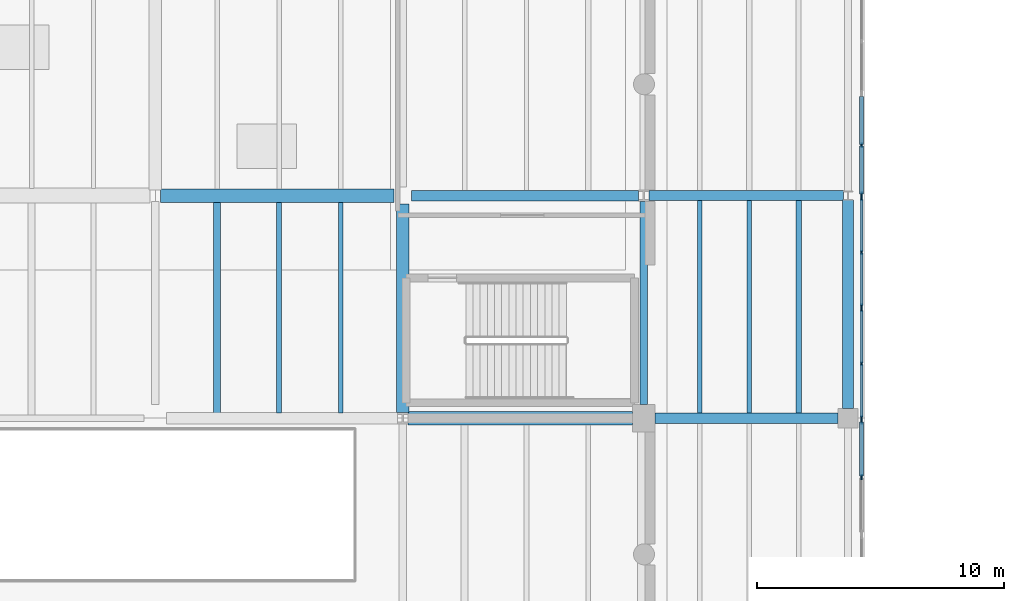
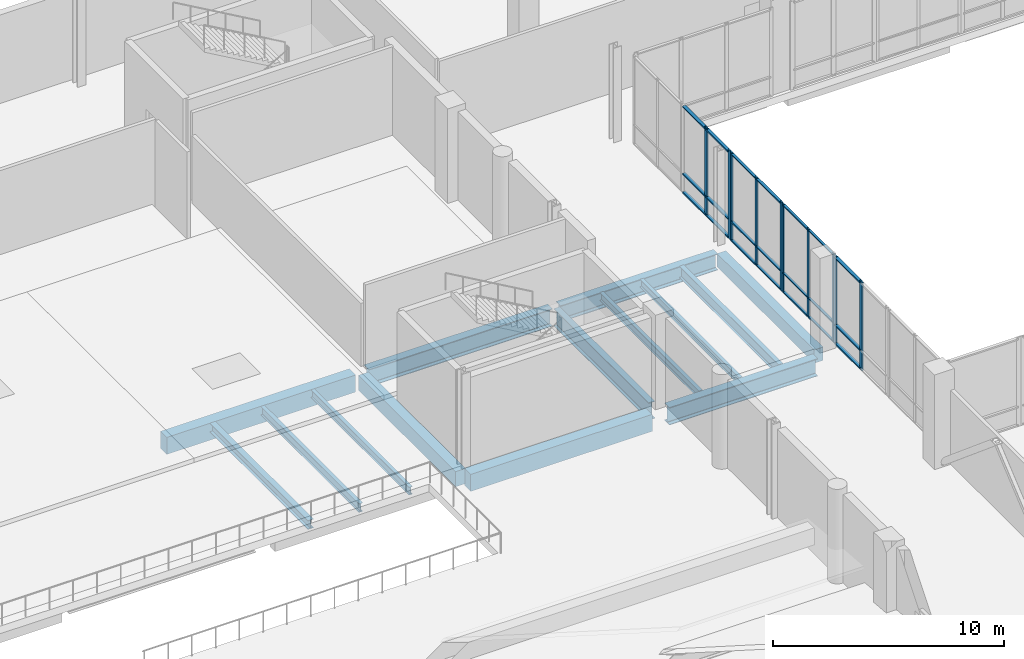
# One storey, part 46 of 88: 31 members, 14 beams, 4 elements without a shape of their own.
"""IFC4 building model written with IfcOpenShell, lengths in metres."""

from ifc_helpers import new_model, si_unit, direction, frame, origin, origin_2d, place, context, subcontext, project, spatial, rectangle, i_section, extrude, material, material_profile, profile_set, type_object, element, aggregate, save


model = new_model("IFC4")

# Units and contexts
model_context = context("Model", 3, precision=1e-05, world=origin(), true_north=direction((0.0, 1.0)))
body_context = subcontext(model_context, "Body", "Model", "MODEL_VIEW")
ifc_project = project(units=[si_unit("LENGTHUNIT", "METRE"), si_unit("AREAUNIT", "SQUARE_METRE"), si_unit("VOLUMEUNIT", "CUBIC_METRE"), si_unit("PLANEANGLEUNIT", "RADIAN"), si_unit("MASSUNIT", "GRAM", prefix="KILO")], contexts=[model_context])

# Site, building, storey
site_placement = place(None, origin())
site = spatial("IfcSite", under=ifc_project, at=site_placement, CompositionType="ELEMENT")
building_placement = place(site_placement, origin())
building = spatial("IfcBuilding", under=site, at=building_placement, Name="Trimount Lyric Opera House", CompositionType="ELEMENT")
storey_placement = place(building_placement, origin())
storey = spatial("IfcBuildingStorey", under=building, at=storey_placement, Name="L00", CompositionType="ELEMENT", Elevation=0.0)

# Beams
ifc_material_1 = material(Name="Steel ASTM A992 Grade 50", Category="steel")
ifc_material_profile_1 = material_profile(ifc_material_1, i_section(OverallWidth=0.4189453125, OverallDepth=0.927001953125, WebThickness=0.019287109375, FlangeThickness=0.031982421875, FilletRadius=0.02392578125, at=origin_2d()), Name="W36X231")
ifc_profile_set_1 = profile_set([ifc_material_profile_1], Name="Steel ASTM A992 Grade 50")
beam_type_1 = type_object("IfcBeamType", Name="B-02", PredefinedType="BEAM", material=ifc_profile_set_1)
beam_1_placement = place(storey_placement, frame((114.18994140625, 84.0, -0.863525390625), z_axis=(1.0, 0.0, 0.0), x_axis=(0.0, 1.0, 0.0)))
element("IfcBeam", 1, at=beam_1_placement, inside=storey, type_object=beam_type_1, Name="L00 girder X-0169", PredefinedType="BEAM", context=body_context, shape_type="SweptSolid", body=[
    extrude(i_section(OverallWidth=0.4189453125, OverallDepth=0.927001953125, WebThickness=0.019287109375, FlangeThickness=0.031982421875, FilletRadius=0.02392578125, at=origin_2d()), origin(), (0.0, 0.0, 1.0), 7.41015625),
])
beam_2_placement = place(storey_placement, frame((104.35009765625, 93.0, -0.863525390625), z_axis=(1.0, 0.0, 0.0), x_axis=(0.0, 1.0, 0.0)))
element("IfcBeam", 2, at=beam_2_placement, inside=storey, type_object=beam_type_1, Name="L00 girder X-0181", PredefinedType="BEAM", context=body_context, shape_type="SweptSolid", body=[
    extrude(i_section(OverallWidth=0.4189453125, OverallDepth=0.927001953125, WebThickness=0.019287109375, FlangeThickness=0.031982421875, FilletRadius=0.02392578125, at=origin_2d()), origin(), (0.0, 0.0, 1.0), 9.178955078125),
])
ifc_material_2 = material(Name="Steel ASTM A992 Grade 50", Category="steel")
ifc_material_profile_2 = material_profile(ifc_material_2, i_section(OverallWidth=0.304931640625, OverallDepth=0.9189453125, WebThickness=0.017333984375, FlangeThickness=0.02783203125, FilletRadius=0.02001953125, at=origin_2d()), Name="W36X170")
ifc_profile_set_2 = profile_set([ifc_material_profile_2], Name="Steel ASTM A992 Grade 50")
beam_type_2 = type_object("IfcBeamType", Name="B-03", PredefinedType="BEAM", material=ifc_profile_set_2)
beam_3_placement = place(storey_placement, frame((113.739990234375, 84.550048828125, -0.859619140625), z_axis=(0.0, 1.0, 0.0), x_axis=(-1.0, 0.0, 0.0)))
element("IfcBeam", 3, at=beam_3_placement, inside=storey, type_object=beam_type_2, Name="L00 girder Y-0378", PredefinedType="BEAM", context=body_context, shape_type="SweptSolid", body=[
    extrude(i_section(OverallWidth=0.304931640625, OverallDepth=0.9189453125, WebThickness=0.017333984375, FlangeThickness=0.02783203125, FilletRadius=0.02001953125, at=origin_2d()), origin(), (0.0, 0.0, 1.0), 8.217529296875),
])
ifc_material_3 = material(Name="Steel ASTM A992 Grade 50", Category="steel")
ifc_material_profile_3 = material_profile(ifc_material_3, i_section(OverallWidth=0.40087890625, OverallDepth=0.861083984375, WebThickness=0.019775390625, FlangeThickness=0.032470703125, FilletRadius=0.02001953125, at=origin_2d()), Name="W33X221")
ifc_profile_set_3 = profile_set([ifc_material_profile_3], Name="Steel ASTM A992 Grade 50")
beam_type_3 = type_object("IfcBeamType", Name="B-04", PredefinedType="BEAM", material=ifc_profile_set_3)
beam_4_placement = place(storey_placement, frame((113.950927734375, 93.0, -0.83056640625), z_axis=(1.0, 0.0, 0.0), x_axis=(0.0, 1.0, 0.0)))
element("IfcBeam", 4, at=beam_4_placement, inside=storey, type_object=beam_type_3, Name="L00 girder X-0182", PredefinedType="BEAM", context=body_context, shape_type="SweptSolid", body=[
    extrude(i_section(OverallWidth=0.40087890625, OverallDepth=0.861083984375, WebThickness=0.019775390625, FlangeThickness=0.032470703125, FilletRadius=0.02001953125, at=origin_2d()), origin(), (0.0, 0.0, 1.0), 7.862548828125),
])
ifc_material_4 = material(Name="Concrete C40/50", Category="concrete")
ifc_material_profile_4 = material_profile(ifc_material_4, rectangle(XDim=0.550048828125, YDim=0.89990234375, at=origin_2d()), Name="RC550X900")
ifc_profile_set_4 = profile_set([ifc_material_profile_4], Name="Concrete C40/50")
beam_type_4 = type_object("IfcBeamType", Name="B-14", PredefinedType="BEAM", material=ifc_profile_set_4)
beam_5_placement = place(storey_placement, frame((104.2109375, 84.0, -0.85009765625), z_axis=(1.0, 0.0, 0.0), x_axis=(0.0, 1.0, 0.0)))
element("IfcBeam", 5, at=beam_5_placement, inside=storey, type_object=beam_type_4, Name="L00 girder X-0168", PredefinedType="BEAM", context=body_context, shape_type="SweptSolid", body=[
    extrude(rectangle(XDim=0.550048828125, YDim=0.89990234375, at=origin_2d()), origin(), (0.0, 0.0, 1.0), 9.0791015625),
])
beam_6_placement = place(storey_placement, frame((94.2109375, 93.0, -0.85009765625), z_axis=(1.0, 0.0, 0.0), x_axis=(0.0, 1.0, 0.0)))
element("IfcBeam", 6, at=beam_6_placement, inside=storey, type_object=beam_type_4, Name="L00 girder X-0180", PredefinedType="BEAM", context=body_context, shape_type="SweptSolid", body=[
    extrude(rectangle(XDim=0.550048828125, YDim=0.89990234375, at=origin_2d()), origin(), (0.0, 0.0, 1.0), 9.43896484375),
])
ifc_material_5 = material(Name="Concrete C40/50", Category="concrete")
ifc_material_profile_5 = material_profile(ifc_material_5, rectangle(XDim=0.5, YDim=0.800048828125, at=origin_2d()), Name="RC500X800")
ifc_profile_set_5 = profile_set([ifc_material_profile_5], Name="Concrete C40/50")
beam_type_5 = type_object("IfcBeamType", Name="B-15", PredefinedType="BEAM", material=ifc_profile_set_5)
beam_7_placement = place(storey_placement, frame((104.0, 84.232421875, -0.800048828125), z_axis=(0.0, 1.0, 0.0), x_axis=(-1.0, 0.0, 0.0)))
element("IfcBeam", 7, at=beam_7_placement, inside=storey, type_object=beam_type_5, Name="L00 girder Y-0366", PredefinedType="BEAM", context=body_context, shape_type="SweptSolid", body=[
    extrude(rectangle(XDim=0.5, YDim=0.800048828125, at=origin_2d()), origin(), (0.0, 0.0, 1.0), 8.41748046875),
])
ifc_material_6 = material(Name="Steel ASTM A992 Grade 50", Category="steel")
ifc_material_profile_6 = material_profile(ifc_material_6, i_section(OverallWidth=0.22802734375, OverallDepth=0.60205078125, WebThickness=0.010498046875, FlangeThickness=0.014892578125, FilletRadius=0.012939453125, at=origin_2d()), Name="W24X68")
ifc_profile_set_6 = profile_set([ifc_material_profile_6], Name="Steel ASTM A992 Grade 50")
beam_type_6 = type_object("IfcBeamType", Name="J-01", PredefinedType="BEAM", material=ifc_profile_set_6)
beam_8_placement = place(storey_placement, frame((120.0, 84.20556640625, -0.680908203125), z_axis=(0.0, 1.0, 0.0), x_axis=(-1.0, 0.0, 0.0)))
element("IfcBeam", 8, at=beam_8_placement, inside=storey, type_object=beam_type_6, Name="L00 composite floor joist 0365", PredefinedType="BEAM", context=body_context, shape_type="SweptSolid", body=[
    extrude(i_section(OverallWidth=0.22802734375, OverallDepth=0.60205078125, WebThickness=0.010498046875, FlangeThickness=0.014892578125, FilletRadius=0.012939453125, at=origin_2d()), origin(), (0.0, 0.0, 1.0), 8.597900390625),
])
ifc_material_7 = material(Name="Steel ASTM A992 Grade 50", Category="steel")
ifc_material_profile_7 = material_profile(ifc_material_7, i_section(OverallWidth=0.281982421875, OverallDepth=0.467041015625, WebThickness=0.01220703125, FlangeThickness=0.01953125, FilletRadius=0.012939453125, at=origin_2d()), Name="W18X86")
ifc_profile_set_7 = profile_set([ifc_material_profile_7], Name="Steel ASTM A992 Grade 50")
beam_type_7 = type_object("IfcBeamType", Name="J-03", PredefinedType="BEAM", material=ifc_profile_set_7)
beam_9_placement = place(storey_placement, frame((96.5, 84.220947265625, -0.633544921875), z_axis=(0.0, 1.0, 0.0), x_axis=(-1.0, 0.0, 0.0)))
element("IfcBeam", 9, at=beam_9_placement, inside=storey, type_object=beam_type_7, Name="L00 composite floor joist 0300", PredefinedType="BEAM", context=body_context, shape_type="SweptSolid", body=[
    extrude(i_section(OverallWidth=0.281982421875, OverallDepth=0.467041015625, WebThickness=0.01220703125, FlangeThickness=0.01953125, FilletRadius=0.012939453125, at=origin_2d()), origin(), (0.0, 0.0, 1.0), 8.508056640625),
])
ifc_material_8 = material(Name="Steel ASTM A992 Grade 50", Category="steel")
ifc_material_profile_8 = material_profile(ifc_material_8, i_section(OverallWidth=0.19091796875, OverallDepth=0.45703125, WebThickness=0.009033203125, FlangeThickness=0.014404296875, FilletRadius=0.010986328125, at=origin_2d()), Name="W18X50")
ifc_profile_set_8 = profile_set([ifc_material_profile_8], Name="Steel ASTM A992 Grade 50")
beam_type_8 = type_object("IfcBeamType", Name="J-04", PredefinedType="BEAM", material=ifc_profile_set_8)
beam_10_placement = place(storey_placement, frame((99.0, 84.220947265625, -0.62841796875), z_axis=(0.0, 1.0, 0.0), x_axis=(-1.0, 0.0, 0.0)))
element("IfcBeam", 10, at=beam_10_placement, inside=storey, type_object=beam_type_8, Name="L00 composite floor joist 0301", PredefinedType="BEAM", context=body_context, shape_type="SweptSolid", body=[
    extrude(i_section(OverallWidth=0.19091796875, OverallDepth=0.45703125, WebThickness=0.009033203125, FlangeThickness=0.014404296875, FilletRadius=0.010986328125, at=origin_2d()), origin(), (0.0, 0.0, 1.0), 8.508056640625),
])
ifc_material_9 = material(Name="Steel ASTM A992 Grade 50", Category="steel")
ifc_material_profile_9 = material_profile(ifc_material_9, i_section(OverallWidth=0.180908203125, OverallDepth=0.4169921875, WebThickness=0.010986328125, FlangeThickness=0.018310546875, FilletRadius=0.010986328125, at=origin_2d()), Name="W16X57")
ifc_profile_set_9 = profile_set([ifc_material_profile_9], Name="Steel ASTM A992 Grade 50")
beam_type_9 = type_object("IfcBeamType", Name="J-05", PredefinedType="BEAM", material=ifc_profile_set_9)
beam_11_placement = place(storey_placement, frame((101.5, 84.220947265625, -0.6083984375), z_axis=(0.0, 1.0, 0.0), x_axis=(-1.0, 0.0, 0.0)))
element("IfcBeam", 11, at=beam_11_placement, inside=storey, type_object=beam_type_9, Name="L00 composite floor joist 0302", PredefinedType="BEAM", context=body_context, shape_type="SweptSolid", body=[
    extrude(i_section(OverallWidth=0.180908203125, OverallDepth=0.4169921875, WebThickness=0.010986328125, FlangeThickness=0.018310546875, FilletRadius=0.010986328125, at=origin_2d()), origin(), (0.0, 0.0, 1.0), 8.508056640625),
])
beam_12_placement = place(storey_placement, frame((116.0, 84.20556640625, -0.58837890625), z_axis=(0.0, 1.0, 0.0), x_axis=(-1.0, 0.0, 0.0)))
element("IfcBeam", 12, at=beam_12_placement, inside=storey, type_object=beam_type_9, Name="L00 composite floor joist 0363", PredefinedType="BEAM", context=body_context, shape_type="SweptSolid", body=[
    extrude(i_section(OverallWidth=0.180908203125, OverallDepth=0.4169921875, WebThickness=0.010986328125, FlangeThickness=0.018310546875, FilletRadius=0.010986328125, at=origin_2d()), origin(), (0.0, 0.0, 1.0), 8.597900390625),
])
ifc_material_10 = material(Name="Steel ASTM A992 Grade 50", Category="steel")
ifc_material_profile_10 = material_profile(ifc_material_10, i_section(OverallWidth=0.177978515625, OverallDepth=0.404052734375, WebThickness=0.007568359375, FlangeThickness=0.010986328125, FilletRadius=0.010009765625, at=origin_2d()), Name="W16X36")
ifc_profile_set_10 = profile_set([ifc_material_profile_10], Name="Steel ASTM A992 Grade 50")
beam_type_10 = type_object("IfcBeamType", Name="J-06", PredefinedType="BEAM", material=ifc_profile_set_10)
beam_13_placement = place(storey_placement, frame((118.0, 84.20556640625, -0.58203125), z_axis=(0.0, 1.0, 0.0), x_axis=(-1.0, 0.0, 0.0)))
element("IfcBeam", 13, at=beam_13_placement, inside=storey, type_object=beam_type_10, Name="L00 composite floor joist 0364", PredefinedType="BEAM", context=body_context, shape_type="SweptSolid", body=[
    extrude(i_section(OverallWidth=0.177978515625, OverallDepth=0.404052734375, WebThickness=0.007568359375, FlangeThickness=0.010986328125, FilletRadius=0.010009765625, at=origin_2d()), origin(), (0.0, 0.0, 1.0), 8.597900390625),
])

# Curtain wall, members
ifc_material_11 = material(Name="Thermally Broken Aluminium and Low-E Glass", Category="aluminium")
curtain_wall_type = type_object("IfcCurtainWallType", Name="CW-03", PredefinedType="NOTDEFINED", material=ifc_material_11)
curtain_wall_1_placement = place(storey_placement, origin())
curtain_wall_1 = element("IfcCurtainWall", 14, at=curtain_wall_1_placement, inside=storey, type_object=curtain_wall_type, Name="L00 curtain wall 054", PredefinedType="NOTDEFINED")
ifc_material_12 = material(Name="Anodised Aluminium 6063-T6", Category="aluminium")
ifc_material_profile_11 = material_profile(ifc_material_12, rectangle(XDim=0.070068359375, YDim=0.219970703125, at=origin_2d()), Name="ALU-MULL-70X220")
ifc_profile_set_11 = profile_set([ifc_material_profile_11], Name="Anodised Aluminium 6063-T6")
member_type_1 = type_object("IfcMemberType", Name="ML-01", PredefinedType="MULLION", material=ifc_profile_set_11)
member_1_placement = place(storey_placement, frame((122.5400390625, 95.034912109375, 0.0), z_axis=(0.0, 0.0, 1.0), x_axis=(1.0, 0.0, 0.0)))
member_1 = element("IfcMember", 15, at=member_1_placement, type_object=member_type_1, Name="CW-03 mullion 2", PredefinedType="MULLION", context=body_context, shape_type="SweptSolid", body=[
    extrude(rectangle(XDim=0.070068359375, YDim=0.219970703125, at=origin_2d()), origin(), (0.0, 0.0, 1.0), 4.68994140625),
])
member_2_placement = place(storey_placement, frame((122.5400390625, 93.034912109375, 0.0), z_axis=(0.0, 0.0, 1.0), x_axis=(1.0, 0.0, 0.0)))
member_2 = element("IfcMember", 16, at=member_2_placement, type_object=member_type_1, Name="CW-03 mullion 3", PredefinedType="MULLION", context=body_context, shape_type="SweptSolid", body=[
    extrude(rectangle(XDim=0.070068359375, YDim=0.219970703125, at=origin_2d()), origin(), (0.0, 0.0, 1.0), 4.68994140625),
])

curtain_wall_2_placement = place(storey_placement, origin())
curtain_wall_2 = element("IfcCurtainWall", 17, at=curtain_wall_2_placement, inside=storey, type_object=curtain_wall_type, Name="L00 curtain wall 057", PredefinedType="NOTDEFINED")
member_3_placement = place(storey_placement, frame((122.5400390625, 83.875, 0.0), z_axis=(0.0, 0.0, 1.0), x_axis=(1.0, 0.0, 0.0)))
member_3 = element("IfcMember", 18, at=member_3_placement, type_object=member_type_1, Name="CW-03 mullion 1", PredefinedType="MULLION", context=body_context, shape_type="SweptSolid", body=[
    extrude(rectangle(XDim=0.070068359375, YDim=0.219970703125, at=origin_2d()), origin(), (0.0, 0.0, 1.0), 4.68994140625),
])
member_4_placement = place(storey_placement, frame((122.5400390625, 81.625, 0.0), z_axis=(0.0, 0.0, 1.0), x_axis=(1.0, 0.0, 0.0)))
member_4 = element("IfcMember", 19, at=member_4_placement, type_object=member_type_1, Name="CW-03 mullion 2", PredefinedType="MULLION", context=body_context, shape_type="SweptSolid", body=[
    extrude(rectangle(XDim=0.070068359375, YDim=0.219970703125, at=origin_2d()), origin(), (0.0, 0.0, 1.0), 4.68994140625),
])

curtain_wall_3_placement = place(storey_placement, origin())
curtain_wall_3 = element("IfcCurtainWall", 20, at=curtain_wall_3_placement, inside=storey, type_object=curtain_wall_type, Name="L00 curtain wall 055", PredefinedType="NOTDEFINED")
ifc_material_13 = material(Name="Anodised Aluminium 6063-T6", Category="aluminium")
ifc_material_profile_12 = material_profile(ifc_material_13, rectangle(XDim=0.06494140625, YDim=0.179931640625, at=origin_2d()), Name="ALU-MULL-65X180")
ifc_profile_set_12 = profile_set([ifc_material_profile_12], Name="Anodised Aluminium 6063-T6")
member_type_2 = type_object("IfcMemberType", Name="ML-02", PredefinedType="MULLION", material=ifc_profile_set_12)
member_5_placement = place(storey_placement, frame((122.5400390625, 92.87744140625, 0.0), z_axis=(0.0, 0.0, 1.0), x_axis=(1.0, 0.0, 0.0)))
member_5 = element("IfcMember", 21, at=member_5_placement, type_object=member_type_2, Name="CW-03 mullion 1", PredefinedType="MULLION", context=body_context, shape_type="SweptSolid", body=[
    extrude(rectangle(XDim=0.06494140625, YDim=0.179931640625, at=origin_2d()), origin(), (0.0, 0.0, 1.0), 4.68994140625),
])
member_6_placement = place(storey_placement, frame((122.5400390625, 90.705078125, 0.0), z_axis=(0.0, 0.0, 1.0), x_axis=(1.0, 0.0, 0.0)))
member_6 = element("IfcMember", 22, at=member_6_placement, type_object=member_type_2, Name="CW-03 mullion 2", PredefinedType="MULLION", context=body_context, shape_type="SweptSolid", body=[
    extrude(rectangle(XDim=0.06494140625, YDim=0.179931640625, at=origin_2d()), origin(), (0.0, 0.0, 1.0), 4.68994140625),
])
member_7_placement = place(storey_placement, frame((122.5400390625, 88.532470703125, 0.0), z_axis=(0.0, 0.0, 1.0), x_axis=(1.0, 0.0, 0.0)))
member_7 = element("IfcMember", 23, at=member_7_placement, type_object=member_type_2, Name="CW-03 mullion 3", PredefinedType="MULLION", context=body_context, shape_type="SweptSolid", body=[
    extrude(rectangle(XDim=0.06494140625, YDim=0.179931640625, at=origin_2d()), origin(), (0.0, 0.0, 1.0), 4.68994140625),
])

curtain_wall_4_placement = place(storey_placement, origin())
curtain_wall_4 = element("IfcCurtainWall", 24, at=curtain_wall_4_placement, inside=storey, type_object=curtain_wall_type, Name="L00 curtain wall 056", PredefinedType="NOTDEFINED")
ifc_material_14 = material(Name="Anodised Aluminium 6063-T6", Category="aluminium")
ifc_material_profile_13 = material_profile(ifc_material_14, rectangle(XDim=0.06005859375, YDim=0.14990234375, at=origin_2d()), Name="ALU-MULL-60X150")
ifc_profile_set_13 = profile_set([ifc_material_profile_13], Name="Anodised Aluminium 6063-T6")
member_type_3 = type_object("IfcMemberType", Name="ML-03", PredefinedType="MULLION", material=ifc_profile_set_13)
member_8_placement = place(storey_placement, frame((122.5400390625, 88.3798828125, 0.0), z_axis=(0.0, 0.0, 1.0), x_axis=(1.0, 0.0, 0.0)))
member_8 = element("IfcMember", 25, at=member_8_placement, type_object=member_type_3, Name="CW-03 mullion 1", PredefinedType="MULLION", context=body_context, shape_type="SweptSolid", body=[
    extrude(rectangle(XDim=0.06005859375, YDim=0.14990234375, at=origin_2d()), origin(), (0.0, 0.0, 1.0), 4.68994140625),
])
member_9_placement = place(storey_placement, frame((122.5400390625, 86.205078125, 0.0), z_axis=(0.0, 0.0, 1.0), x_axis=(1.0, 0.0, 0.0)))
member_9 = element("IfcMember", 26, at=member_9_placement, type_object=member_type_3, Name="CW-03 mullion 2", PredefinedType="MULLION", context=body_context, shape_type="SweptSolid", body=[
    extrude(rectangle(XDim=0.06005859375, YDim=0.14990234375, at=origin_2d()), origin(), (0.0, 0.0, 1.0), 4.68994140625),
])
member_10_placement = place(storey_placement, frame((122.5400390625, 84.030029296875, 0.0), z_axis=(0.0, 0.0, 1.0), x_axis=(1.0, 0.0, 0.0)))
member_10 = element("IfcMember", 27, at=member_10_placement, type_object=member_type_3, Name="CW-03 mullion 3", PredefinedType="MULLION", context=body_context, shape_type="SweptSolid", body=[
    extrude(rectangle(XDim=0.06005859375, YDim=0.14990234375, at=origin_2d()), origin(), (0.0, 0.0, 1.0), 4.68994140625),
])

# Beam
ifc_material_15 = material(Name="Concrete C40/50", Category="concrete")
ifc_material_profile_14 = material_profile(ifc_material_15, rectangle(XDim=0.449951171875, YDim=0.699951171875, at=origin_2d()), Name="RC450X700")
ifc_profile_set_14 = profile_set([ifc_material_profile_14], Name="Concrete C40/50")
beam_type_11 = type_object("IfcBeamType", Name="SP-02", PredefinedType="SPANDREL", material=ifc_profile_set_14)
beam_14_placement = place(storey_placement, frame((122.0, 84.39990234375, -0.72998046875), z_axis=(0.0, 1.0, 0.0), x_axis=(-1.0, 0.0, 0.0)))
element("IfcBeam", 28, at=beam_14_placement, inside=storey, type_object=beam_type_11, Name="L00 girder Y-0390", PredefinedType="SPANDREL", context=body_context, shape_type="SweptSolid", body=[
    extrude(rectangle(XDim=0.449951171875, YDim=0.699951171875, at=origin_2d()), origin(), (0.0, 0.0, 1.0), 8.416015625),
])

# Member
ifc_material_16 = material(Name="Anodised Aluminium 6063-T6", Category="aluminium")
ifc_material_profile_15 = material_profile(ifc_material_16, rectangle(XDim=0.159912109375, YDim=0.070068359375, at=origin_2d()), Name="ALU-TRAN-70X160")
ifc_profile_set_15 = profile_set([ifc_material_profile_15], Name="Anodised Aluminium 6063-T6")
member_type_4 = type_object("IfcMemberType", Name="TR-01", PredefinedType="USERDEFINED", material=ifc_profile_set_15)
member_11_placement = place(storey_placement, frame((122.5400390625, 97.0, 0.080078125), z_axis=(0.0, -1.0, 0.0), x_axis=(1.0, 0.0, 0.0)))
member_11 = element("IfcMember", 29, at=member_11_placement, type_object=member_type_4, Name="CW-03 transom 1.1", ObjectType="TRANSOM", PredefinedType="USERDEFINED", context=body_context, shape_type="SweptSolid", body=[
    extrude(rectangle(XDim=0.159912109375, YDim=0.070068359375, at=origin_2d()), origin(), (0.0, 0.0, 1.0), 1.929931640625),
])

member_12_placement = place(storey_placement, frame((122.5400390625, 97.0, 1.050048828125), z_axis=(0.0, -1.0, 0.0), x_axis=(1.0, 0.0, 0.0)))
member_12 = element("IfcMember", 30, at=member_12_placement, type_object=member_type_4, Name="CW-03 transom 1.2", ObjectType="TRANSOM", PredefinedType="USERDEFINED", context=body_context, shape_type="SweptSolid", body=[
    extrude(rectangle(XDim=0.159912109375, YDim=0.070068359375, at=origin_2d()), origin(), (0.0, 0.0, 1.0), 1.929931640625),
])

member_13_placement = place(storey_placement, frame((122.5400390625, 97.0, 4.610107421875), z_axis=(0.0, -1.0, 0.0), x_axis=(1.0, 0.0, 0.0)))
member_13 = element("IfcMember", 31, at=member_13_placement, type_object=member_type_4, Name="CW-03 transom 1.3", ObjectType="TRANSOM", PredefinedType="USERDEFINED", context=body_context, shape_type="SweptSolid", body=[
    extrude(rectangle(XDim=0.159912109375, YDim=0.070068359375, at=origin_2d()), origin(), (0.0, 0.0, 1.0), 1.929931640625),
])

member_14_placement = place(storey_placement, frame((122.5400390625, 95.0, 0.080078125), z_axis=(0.0, -1.0, 0.0), x_axis=(1.0, 0.0, 0.0)))
member_14 = element("IfcMember", 32, at=member_14_placement, type_object=member_type_4, Name="CW-03 transom 2.1", ObjectType="TRANSOM", PredefinedType="USERDEFINED", context=body_context, shape_type="SweptSolid", body=[
    extrude(rectangle(XDim=0.159912109375, YDim=0.070068359375, at=origin_2d()), origin(), (0.0, 0.0, 1.0), 1.929931640625),
])

member_15_placement = place(storey_placement, frame((122.5400390625, 95.0, 1.050048828125), z_axis=(0.0, -1.0, 0.0), x_axis=(1.0, 0.0, 0.0)))
member_15 = element("IfcMember", 33, at=member_15_placement, type_object=member_type_4, Name="CW-03 transom 2.2", ObjectType="TRANSOM", PredefinedType="USERDEFINED", context=body_context, shape_type="SweptSolid", body=[
    extrude(rectangle(XDim=0.159912109375, YDim=0.070068359375, at=origin_2d()), origin(), (0.0, 0.0, 1.0), 1.929931640625),
])

member_16_placement = place(storey_placement, frame((122.5400390625, 95.0, 4.610107421875), z_axis=(0.0, -1.0, 0.0), x_axis=(1.0, 0.0, 0.0)))
member_16 = element("IfcMember", 34, at=member_16_placement, type_object=member_type_4, Name="CW-03 transom 2.3", ObjectType="TRANSOM", PredefinedType="USERDEFINED", context=body_context, shape_type="SweptSolid", body=[
    extrude(rectangle(XDim=0.159912109375, YDim=0.070068359375, at=origin_2d()), origin(), (0.0, 0.0, 1.0), 1.929931640625),
])

aggregate(curtain_wall_1, [member_1, member_2, member_11, member_12, member_13, member_14, member_15, member_16])

member_17_placement = place(storey_placement, frame((122.5400390625, 83.840087890625, 0.080078125), z_axis=(0.0, -1.0, 0.0), x_axis=(1.0, 0.0, 0.0)))
member_17 = element("IfcMember", 35, at=member_17_placement, type_object=member_type_4, Name="CW-03 transom 1.1", ObjectType="TRANSOM", PredefinedType="USERDEFINED", context=body_context, shape_type="SweptSolid", body=[
    extrude(rectangle(XDim=0.159912109375, YDim=0.070068359375, at=origin_2d()), origin(), (0.0, 0.0, 1.0), 2.18017578125),
])

member_18_placement = place(storey_placement, frame((122.5400390625, 83.840087890625, 1.050048828125), z_axis=(0.0, -1.0, 0.0), x_axis=(1.0, 0.0, 0.0)))
member_18 = element("IfcMember", 36, at=member_18_placement, type_object=member_type_4, Name="CW-03 transom 1.2", ObjectType="TRANSOM", PredefinedType="USERDEFINED", context=body_context, shape_type="SweptSolid", body=[
    extrude(rectangle(XDim=0.159912109375, YDim=0.070068359375, at=origin_2d()), origin(), (0.0, 0.0, 1.0), 2.18017578125),
])

member_19_placement = place(storey_placement, frame((122.5400390625, 83.840087890625, 4.610107421875), z_axis=(0.0, -1.0, 0.0), x_axis=(1.0, 0.0, 0.0)))
member_19 = element("IfcMember", 37, at=member_19_placement, type_object=member_type_4, Name="CW-03 transom 1.3", ObjectType="TRANSOM", PredefinedType="USERDEFINED", context=body_context, shape_type="SweptSolid", body=[
    extrude(rectangle(XDim=0.159912109375, YDim=0.070068359375, at=origin_2d()), origin(), (0.0, 0.0, 1.0), 2.18017578125),
])

aggregate(curtain_wall_2, [member_3, member_4, member_17, member_18, member_19])

ifc_material_17 = material(Name="Anodised Aluminium 6063-T6", Category="aluminium")
ifc_material_profile_16 = material_profile(ifc_material_17, rectangle(XDim=0.135009765625, YDim=0.06494140625, at=origin_2d()), Name="ALU-TRAN-65X135")
ifc_profile_set_16 = profile_set([ifc_material_profile_16], Name="Anodised Aluminium 6063-T6")
member_type_5 = type_object("IfcMemberType", Name="TR-02", PredefinedType="USERDEFINED", material=ifc_profile_set_16)
member_20_placement = place(storey_placement, frame((122.5400390625, 92.844970703125, 0.0673828125), z_axis=(0.0, -1.0, 0.0), x_axis=(1.0, 0.0, 0.0)))
member_20 = element("IfcMember", 38, at=member_20_placement, type_object=member_type_5, Name="CW-03 transom 1.1", ObjectType="TRANSOM", PredefinedType="USERDEFINED", context=body_context, shape_type="SweptSolid", body=[
    extrude(rectangle(XDim=0.135009765625, YDim=0.06494140625, at=origin_2d()), origin(), (0.0, 0.0, 1.0), 2.107421875),
])

member_21_placement = place(storey_placement, frame((122.5400390625, 92.844970703125, 1.050048828125), z_axis=(0.0, -1.0, 0.0), x_axis=(1.0, 0.0, 0.0)))
member_21 = element("IfcMember", 39, at=member_21_placement, type_object=member_type_5, Name="CW-03 transom 1.2", ObjectType="TRANSOM", PredefinedType="USERDEFINED", context=body_context, shape_type="SweptSolid", body=[
    extrude(rectangle(XDim=0.135009765625, YDim=0.06494140625, at=origin_2d()), origin(), (0.0, 0.0, 1.0), 2.107421875),
])

member_22_placement = place(storey_placement, frame((122.5400390625, 92.844970703125, 4.62255859375), z_axis=(0.0, -1.0, 0.0), x_axis=(1.0, 0.0, 0.0)))
member_22 = element("IfcMember", 40, at=member_22_placement, type_object=member_type_5, Name="CW-03 transom 1.3", ObjectType="TRANSOM", PredefinedType="USERDEFINED", context=body_context, shape_type="SweptSolid", body=[
    extrude(rectangle(XDim=0.135009765625, YDim=0.06494140625, at=origin_2d()), origin(), (0.0, 0.0, 1.0), 2.107421875),
])

member_23_placement = place(storey_placement, frame((122.5400390625, 90.672607421875, 0.0673828125), z_axis=(0.0, -1.0, 0.0), x_axis=(1.0, 0.0, 0.0)))
member_23 = element("IfcMember", 41, at=member_23_placement, type_object=member_type_5, Name="CW-03 transom 2.1", ObjectType="TRANSOM", PredefinedType="USERDEFINED", context=body_context, shape_type="SweptSolid", body=[
    extrude(rectangle(XDim=0.135009765625, YDim=0.06494140625, at=origin_2d()), origin(), (0.0, 0.0, 1.0), 2.107666015625),
])

member_24_placement = place(storey_placement, frame((122.5400390625, 90.672607421875, 1.050048828125), z_axis=(0.0, -1.0, 0.0), x_axis=(1.0, 0.0, 0.0)))
member_24 = element("IfcMember", 42, at=member_24_placement, type_object=member_type_5, Name="CW-03 transom 2.2", ObjectType="TRANSOM", PredefinedType="USERDEFINED", context=body_context, shape_type="SweptSolid", body=[
    extrude(rectangle(XDim=0.135009765625, YDim=0.06494140625, at=origin_2d()), origin(), (0.0, 0.0, 1.0), 2.107666015625),
])

member_25_placement = place(storey_placement, frame((122.5400390625, 90.672607421875, 4.62255859375), z_axis=(0.0, -1.0, 0.0), x_axis=(1.0, 0.0, 0.0)))
member_25 = element("IfcMember", 43, at=member_25_placement, type_object=member_type_5, Name="CW-03 transom 2.3", ObjectType="TRANSOM", PredefinedType="USERDEFINED", context=body_context, shape_type="SweptSolid", body=[
    extrude(rectangle(XDim=0.135009765625, YDim=0.06494140625, at=origin_2d()), origin(), (0.0, 0.0, 1.0), 2.107666015625),
])

aggregate(curtain_wall_3, [member_5, member_6, member_7, member_20, member_21, member_22, member_23, member_24, member_25])

ifc_material_18 = material(Name="Anodised Aluminium 6063-T6", Category="aluminium")
ifc_material_profile_17 = material_profile(ifc_material_18, rectangle(XDim=0.114990234375, YDim=0.06005859375, at=origin_2d()), Name="ALU-TRAN-60X115")
ifc_profile_set_17 = profile_set([ifc_material_profile_17], Name="Anodised Aluminium 6063-T6")
member_type_6 = type_object("IfcMemberType", Name="TR-03", PredefinedType="USERDEFINED", material=ifc_profile_set_17)
member_26_placement = place(storey_placement, frame((122.5400390625, 88.35009765625, 0.0576171875), z_axis=(0.0, -1.0, 0.0), x_axis=(1.0, 0.0, 0.0)))
member_26 = element("IfcMember", 44, at=member_26_placement, type_object=member_type_6, Name="CW-03 transom 1.1", ObjectType="TRANSOM", PredefinedType="USERDEFINED", context=body_context, shape_type="SweptSolid", body=[
    extrude(rectangle(XDim=0.114990234375, YDim=0.06005859375, at=origin_2d()), origin(), (0.0, 0.0, 1.0), 2.114990234375),
])

member_27_placement = place(storey_placement, frame((122.5400390625, 88.35009765625, 1.050048828125), z_axis=(0.0, -1.0, 0.0), x_axis=(1.0, 0.0, 0.0)))
member_27 = element("IfcMember", 45, at=member_27_placement, type_object=member_type_6, Name="CW-03 transom 1.2", ObjectType="TRANSOM", PredefinedType="USERDEFINED", context=body_context, shape_type="SweptSolid", body=[
    extrude(rectangle(XDim=0.114990234375, YDim=0.06005859375, at=origin_2d()), origin(), (0.0, 0.0, 1.0), 2.114990234375),
])

member_28_placement = place(storey_placement, frame((122.5400390625, 88.35009765625, 4.632568359375), z_axis=(0.0, -1.0, 0.0), x_axis=(1.0, 0.0, 0.0)))
member_28 = element("IfcMember", 46, at=member_28_placement, type_object=member_type_6, Name="CW-03 transom 1.3", ObjectType="TRANSOM", PredefinedType="USERDEFINED", context=body_context, shape_type="SweptSolid", body=[
    extrude(rectangle(XDim=0.114990234375, YDim=0.06005859375, at=origin_2d()), origin(), (0.0, 0.0, 1.0), 2.114990234375),
])

member_29_placement = place(storey_placement, frame((122.5400390625, 86.175048828125, 0.0576171875), z_axis=(0.0, -1.0, 0.0), x_axis=(1.0, 0.0, 0.0)))
member_29 = element("IfcMember", 47, at=member_29_placement, type_object=member_type_6, Name="CW-03 transom 2.1", ObjectType="TRANSOM", PredefinedType="USERDEFINED", context=body_context, shape_type="SweptSolid", body=[
    extrude(rectangle(XDim=0.114990234375, YDim=0.06005859375, at=origin_2d()), origin(), (0.0, 0.0, 1.0), 2.114990234375),
])

member_30_placement = place(storey_placement, frame((122.5400390625, 86.175048828125, 1.050048828125), z_axis=(0.0, -1.0, 0.0), x_axis=(1.0, 0.0, 0.0)))
member_30 = element("IfcMember", 48, at=member_30_placement, type_object=member_type_6, Name="CW-03 transom 2.2", ObjectType="TRANSOM", PredefinedType="USERDEFINED", context=body_context, shape_type="SweptSolid", body=[
    extrude(rectangle(XDim=0.114990234375, YDim=0.06005859375, at=origin_2d()), origin(), (0.0, 0.0, 1.0), 2.114990234375),
])

member_31_placement = place(storey_placement, frame((122.5400390625, 86.175048828125, 4.632568359375), z_axis=(0.0, -1.0, 0.0), x_axis=(1.0, 0.0, 0.0)))
member_31 = element("IfcMember", 49, at=member_31_placement, type_object=member_type_6, Name="CW-03 transom 2.3", ObjectType="TRANSOM", PredefinedType="USERDEFINED", context=body_context, shape_type="SweptSolid", body=[
    extrude(rectangle(XDim=0.114990234375, YDim=0.06005859375, at=origin_2d()), origin(), (0.0, 0.0, 1.0), 2.114990234375),
])

aggregate(curtain_wall_4, [member_8, member_9, member_10, member_26, member_27, member_28, member_29, member_30, member_31])

save(model, "model.ifc")
